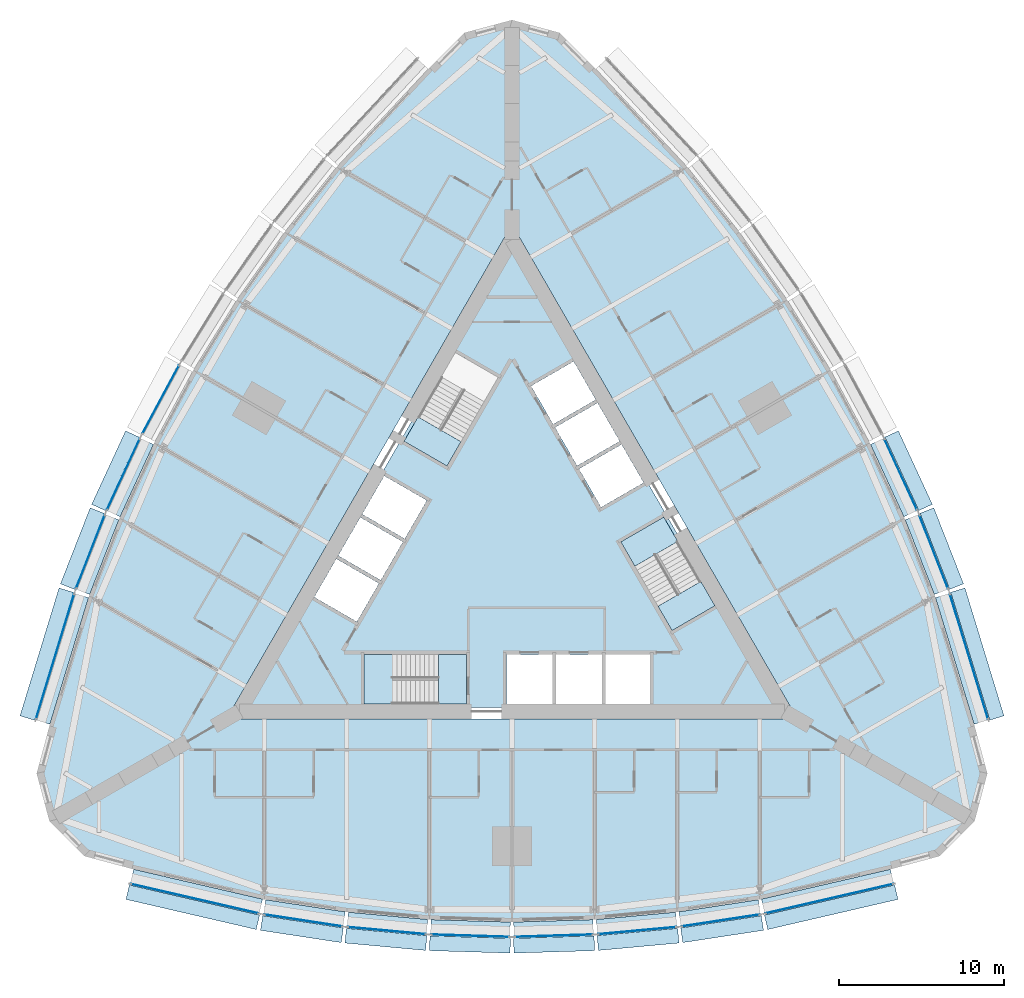
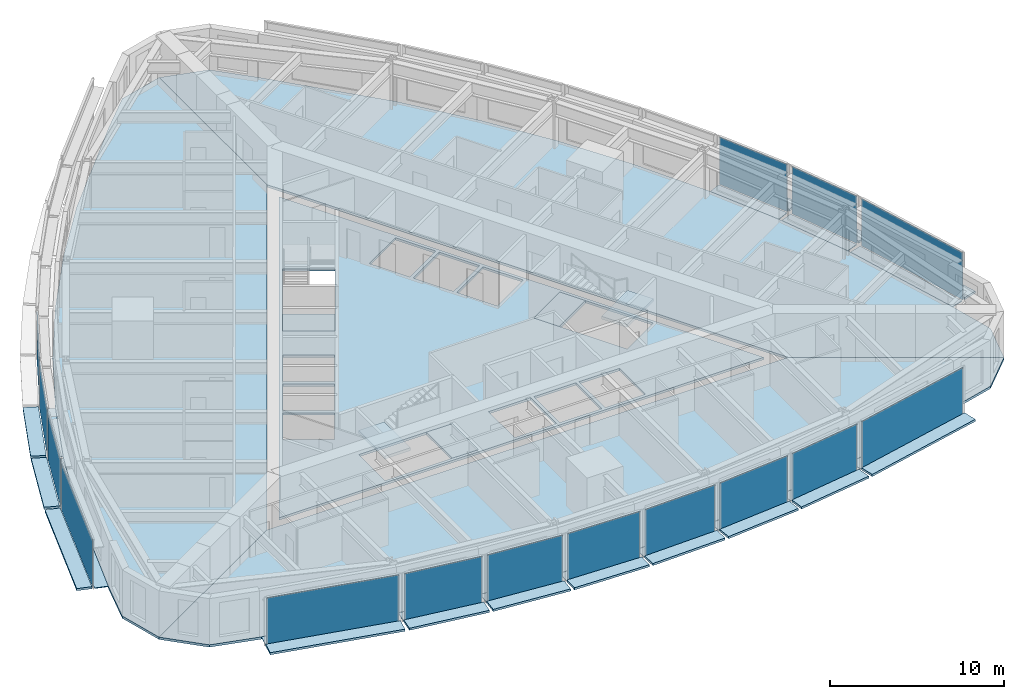
# One storey, part 6 of 14: 43 plates, 9 slabs, 18 elements without a shape of their own.
"""IFC4 building model written with IfcOpenShell, lengths in metres."""

from ifc_helpers import new_model, si_unit, direction, frame, origin, origin_2d, place, context, subcontext, project, spatial, polyline, rectangle, outline, extrude, material, layer, layer_set, type_object, element, aggregate, save


model = new_model("IFC4")

# Units and contexts
model_context = context("Model", 3, precision=1e-05, world=origin(), true_north=direction((0.0, 1.0)))
body_context = subcontext(model_context, "Body", "Model", "MODEL_VIEW")
ifc_project = project(units=[si_unit("LENGTHUNIT", "METRE"), si_unit("AREAUNIT", "SQUARE_METRE"), si_unit("VOLUMEUNIT", "CUBIC_METRE"), si_unit("PLANEANGLEUNIT", "RADIAN"), si_unit("MASSUNIT", "GRAM", prefix="KILO")], contexts=[model_context])

# Site, building, storey
site_placement = place(None, origin())
site = spatial("IfcSite", under=ifc_project, at=site_placement, CompositionType="ELEMENT")
building_placement = place(site_placement, origin())
building = spatial("IfcBuilding", under=site, at=building_placement, Name="Trikona Tower", CompositionType="ELEMENT")
storey_placement = place(building_placement, frame((0.0, 0.0, 79.5)))
storey = spatial("IfcBuildingStorey", under=building, at=storey_placement, Name="L20", CompositionType="ELEMENT", Elevation=79.5)

# Plates
ifc_material_1 = material(Name="Aluminium bar grating", Category="aluminium")
ifc_layer_1 = layer(ifc_material_1, 0.050048828125)
ifc_layer_set_1 = layer_set([ifc_layer_1], Name="Cavity catwalk grating")
plate_type_1 = type_object("IfcPlateType", Name="Cavity catwalk grating", PredefinedType="USERDEFINED", material=ifc_layer_set_1)
plate_1_placement = place(storey_placement, frame((-19.09228515625, -20.377197265625, -0.0498046875), z_axis=(0.0, 0.0, 1.0), x_axis=(0.974277718622, -0.225350675607, 0.0)))
element("IfcPlate", 1, at=plate_1_placement, inside=storey, type_object=plate_type_1, Name="Cavity catwalk L20-00", ObjectType="CATWALK GRATING", PredefinedType="USERDEFINED", context=body_context, shape_type="SweptSolid", body=[
    extrude(rectangle(XDim=8.01123046875, YDim=0.820068359375, at=origin_2d()), origin(), (0.0, 0.0, 1.0), 0.050048828125),
])
plate_2_placement = place(storey_placement, frame((-12.561767578125, -21.688720703125, -0.0498046875), z_axis=(0.0, 0.0, 1.0), x_axis=(0.988617896768, -0.150448177754, 0.0)))
element("IfcPlate", 2, at=plate_2_placement, inside=storey, type_object=plate_type_1, Name="Cavity catwalk L20-01", ObjectType="CATWALK GRATING", PredefinedType="USERDEFINED", context=body_context, shape_type="SweptSolid", body=[
    extrude(rectangle(XDim=4.857666015625, YDim=0.820068359375, at=origin_2d()), origin(), (0.0, 0.0, 1.0), 0.050048828125),
])
plate_3_placement = place(storey_placement, frame((-7.537353515625, -22.300537109375, -0.0498046875), z_axis=(0.0, 0.0, 1.0), x_axis=(0.995858098326, -0.090921108655, 0.0)))
element("IfcPlate", 3, at=plate_3_placement, inside=storey, type_object=plate_type_1, Name="Cavity catwalk L20-02", ObjectType="CATWALK GRATING", PredefinedType="USERDEFINED", context=body_context, shape_type="SweptSolid", body=[
    extrude(rectangle(XDim=4.82080078125, YDim=0.820068359375, at=origin_2d()), origin(), (0.0, 0.0, 1.0), 0.050048828125),
])
for number, where, z_axis, x_axis, name in (
    (4, (-2.512451171875, -22.606201171875, -0.0498046875), (0.0, 0.0, 1.0), (0.999537048889, -0.030425119525, 0.0), "Cavity catwalk L20-03"),
    (5, (2.512451171875, -22.606201171875, -0.0498046875), (0.0, 0.0, 1.0), (0.999537048889, 0.030425119525, 0.0), "Cavity catwalk L20-04"),
):
    element("IfcPlate", number, at=place(storey_placement, frame(where, z_axis=z_axis, x_axis=x_axis)), inside=storey, type_object=plate_type_1, Name=name, ObjectType="CATWALK GRATING", PredefinedType="USERDEFINED", context=body_context, shape_type="SweptSolid", body=[
        extrude(rectangle(XDim=4.80224609375, YDim=0.820068359375, at=origin_2d()), origin(), (0.0, 0.0, 1.0), 0.050048828125),
    ])
plate_4_placement = place(storey_placement, frame((7.537353515625, -22.300537109375, -0.0498046875), z_axis=(0.0, 0.0, 1.0), x_axis=(0.995858098326, 0.090921108655, 0.0)))
element("IfcPlate", 6, at=plate_4_placement, inside=storey, type_object=plate_type_1, Name="Cavity catwalk L20-05", ObjectType="CATWALK GRATING", PredefinedType="USERDEFINED", context=body_context, shape_type="SweptSolid", body=[
    extrude(rectangle(XDim=4.82080078125, YDim=0.820068359375, at=origin_2d()), origin(), (0.0, 0.0, 1.0), 0.050048828125),
])
plate_5_placement = place(storey_placement, frame((12.561767578125, -21.688720703125, -0.0498046875), z_axis=(0.0, 0.0, 1.0), x_axis=(0.988617896768, 0.150448177754, 0.0)))
element("IfcPlate", 7, at=plate_5_placement, inside=storey, type_object=plate_type_1, Name="Cavity catwalk L20-06", ObjectType="CATWALK GRATING", PredefinedType="USERDEFINED", context=body_context, shape_type="SweptSolid", body=[
    extrude(rectangle(XDim=4.857666015625, YDim=0.820068359375, at=origin_2d()), origin(), (0.0, 0.0, 1.0), 0.050048828125),
])
for number, where, z_axis, x_axis, name in (
    (8, (19.09228515625, -20.377197265625, -0.0498046875), (0.0, 0.0, 1.0), (0.974277718622, 0.225350675607, 0.0), "Cavity catwalk L20-07"),
    (9, (27.193359375, -6.345947265625, -0.0498046875), (0.0, 0.0, 1.0), (-0.291979449475, 0.956424592471, 0.0), "Cavity catwalk L20-12"),
):
    element("IfcPlate", number, at=place(storey_placement, frame(where, z_axis=z_axis, x_axis=x_axis)), inside=storey, type_object=plate_type_1, Name=name, ObjectType="CATWALK GRATING", PredefinedType="USERDEFINED", context=body_context, shape_type="SweptSolid", body=[
        extrude(rectangle(XDim=8.01123046875, YDim=0.820068359375, at=origin_2d()), origin(), (0.0, 0.0, 1.0), 0.050048828125),
    ])
plate_6_placement = place(storey_placement, frame((25.06396484375, -0.034423828125, -0.0498046875), z_axis=(0.0, 0.0, 1.0), x_axis=(-0.364008876551, 0.931395478726, 0.0)))
element("IfcPlate", 10, at=plate_6_placement, inside=storey, type_object=plate_type_1, Name="Cavity catwalk L20-13", ObjectType="CATWALK GRATING", PredefinedType="USERDEFINED", context=body_context, shape_type="SweptSolid", body=[
    extrude(rectangle(XDim=4.857666015625, YDim=0.820068359375, at=origin_2d()), origin(), (0.0, 0.0, 1.0), 0.050048828125),
])
for number, where, z_axis, x_axis, name in (
    (11, (23.081298828125, 4.622802734375, -0.0498046875), (0.0, 0.0, 1.0), (-0.41919381307, 0.907896771161, 0.0), "Cavity catwalk L20-14"),
    (12, (-23.081298828125, 4.622802734375, -0.0498046875), (0.0, 0.0, 1.0), (-0.41919381307, -0.907896771161, 0.0), "Cavity catwalk L20-29"),
):
    element("IfcPlate", number, at=place(storey_placement, frame(where, z_axis=z_axis, x_axis=x_axis)), inside=storey, type_object=plate_type_1, Name=name, ObjectType="CATWALK GRATING", PredefinedType="USERDEFINED", context=body_context, shape_type="SweptSolid", body=[
        extrude(rectangle(XDim=4.82080078125, YDim=0.820068359375, at=origin_2d()), origin(), (0.0, 0.0, 1.0), 0.050048828125),
    ])
plate_7_placement = place(storey_placement, frame((-25.06396484375, -0.034423828125, -0.0498046875), z_axis=(0.0, 0.0, 1.0), x_axis=(-0.364008876551, -0.931395478726, 0.0)))
element("IfcPlate", 13, at=plate_7_placement, inside=storey, type_object=plate_type_1, Name="Cavity catwalk L20-30", ObjectType="CATWALK GRATING", PredefinedType="USERDEFINED", context=body_context, shape_type="SweptSolid", body=[
    extrude(rectangle(XDim=4.857666015625, YDim=0.820068359375, at=origin_2d()), origin(), (0.0, 0.0, 1.0), 0.050048828125),
])
plate_8_placement = place(storey_placement, frame((-27.193359375, -6.345947265625, -0.0498046875), z_axis=(0.0, 0.0, 1.0), x_axis=(-0.291979449475, -0.956424592471, 0.0)))
element("IfcPlate", 14, at=plate_8_placement, inside=storey, type_object=plate_type_1, Name="Cavity catwalk L20-31", ObjectType="CATWALK GRATING", PredefinedType="USERDEFINED", context=body_context, shape_type="SweptSolid", body=[
    extrude(rectangle(XDim=8.01123046875, YDim=0.820068359375, at=origin_2d()), origin(), (0.0, 0.0, 1.0), 0.050048828125),
])

# Slabs
ifc_material_2 = material(Name="Concrete f'c 5000 psi lightweight on composite steel deck", Category="concrete")
ifc_layer_2 = layer(ifc_material_2, 0.1650390625)
ifc_layer_set_2 = layer_set([ifc_layer_2], Name="Composite floor slab 165")
slab_type_1 = type_object("IfcSlabType", Name="Composite floor slab 165", PredefinedType="FLOOR", material=ifc_layer_set_2)
slab_1_placement = place(storey_placement, frame((0.0, 0.0, -0.1650390625)))
element("IfcSlab", 15, at=slab_1_placement, inside=storey, type_object=slab_type_1, Name="Floor slab L20 core", PredefinedType="FLOOR", context=body_context, shape_type="SweptSolid", body=[
    extrude(outline(polyline([(-16.06689453125, -9.2763671875), (16.06689453125, -9.2763671875), (0.0, 18.552490234375), (-16.06689453125, -9.2763671875)]), holes=[polyline([(12.285400390625, -3.126220703125), (9.185302734375, 2.2431640625), (6.587158203125, 0.7431640625), (9.687255859375, -4.626220703125), (12.285400390625, -3.126220703125)]), polyline([(8.340087890625, -9.06640625), (8.340087890625, -6.086181640625), (5.659912109375, -6.086181640625), (5.659912109375, -9.06640625), (8.340087890625, -9.06640625)]), polyline([(5.390869140625, 2.835205078125), (7.9716796875, 4.3251953125), (6.631591796875, 6.646240234375), (4.05078125, 5.15625), (5.390869140625, 2.835205078125)]), polyline([(2.600830078125, 7.667724609375), (3.94091796875, 5.3466796875), (6.521484375, 6.8369140625), (5.181640625, 9.15771484375), (2.600830078125, 7.667724609375)]), polyline([(5.43994140625, -6.086181640625), (2.659912109375, -6.086181640625), (2.659912109375, -9.06640625), (5.43994140625, -9.06640625), (5.43994140625, -6.086181640625)]), polyline([(3.731689453125, 11.669189453125), (1.15087890625, 10.17919921875), (2.490966796875, 7.858154296875), (5.071533203125, 9.34814453125), (3.731689453125, 11.669189453125)]), polyline([(-0.340087890625, -6.086181640625), (-0.340087890625, -9.06640625), (2.43994140625, -9.06640625), (2.43994140625, -6.086181640625), (-0.340087890625, -6.086181640625)]), polyline([(-3.435302734375, 12.202392578125), (-6.535400390625, 6.8330078125), (-3.937255859375, 5.3330078125), (-0.837158203125, 10.702392578125), (-3.435302734375, 12.202392578125)]), polyline([(-8.949951171875, -9.076416015625), (-2.75, -9.076416015625), (-2.75, -6.076416015625), (-8.949951171875, -6.076416015625), (-8.949951171875, -9.076416015625)]), polyline([(-5.15087890625, 3.2509765625), (-7.731689453125, 4.740966796875), (-9.071533203125, 2.419921875), (-6.490966796875, 0.929931640625), (-5.15087890625, 3.2509765625)]), polyline([(-7.94091796875, -1.581298828125), (-6.600830078125, 0.739501953125), (-9.181640625, 2.2294921875), (-10.521484375, -0.09130859375), (-7.94091796875, -1.581298828125)]), polyline([(-11.9716796875, -2.602783203125), (-9.390869140625, -4.093017578125), (-8.05078125, -1.77197265625), (-10.631591796875, -0.281982421875), (-11.9716796875, -2.602783203125)])]), origin(), (0.0, 0.0, 1.0), 0.1650390625),
])
slab_2_placement = place(storey_placement, frame((0.0, 0.0, -0.1650390625)))
element("IfcSlab", 16, at=slab_2_placement, inside=storey, type_object=slab_type_1, Name="Floor slab L20 south", PredefinedType="FLOOR", context=body_context, shape_type="SweptSolid", body=[
    extrude(outline(polyline([(25.88671875, -18.279052734375), (28.0, -16.165771484375), (17.279296875, -9.976318359375), (-17.279296875, -9.976318359375), (-28.0, -16.165771484375), (-25.88671875, -18.279052734375), (-23.0, -19.052490234375), (-15.0, -20.903076171875), (-10.0, -21.663818359375), (-5.0, -22.120361328125), (0.0, -22.272705078125), (5.0, -22.120361328125), (10.0, -21.663818359375), (15.0, -20.903076171875), (23.0, -19.052490234375), (25.88671875, -18.279052734375)])), origin(), (0.0, 0.0, 1.0), 0.1650390625),
])
slab_3_placement = place(storey_placement, frame((0.0, 0.0, -0.1650390625)))
element("IfcSlab", 17, at=slab_3_placement, inside=storey, type_object=slab_type_1, Name="Floor slab L20 north-east", PredefinedType="FLOOR", context=body_context, shape_type="SweptSolid", body=[
    extrude(outline(polyline([(2.88671875, 31.55810546875), (0.0, 32.33154296875), (0.0, 19.95263671875), (17.279296875, -9.976318359375), (28.0, -16.165771484375), (28.7734375, -13.279052734375), (28.0, -10.392333984375), (25.6025390625, -2.538818359375), (23.761474609375, 2.171630859375), (21.65673828125, 6.72998046875), (19.28857421875, 11.13623046875), (16.65673828125, 15.390380859375), (13.761474609375, 19.4921875), (10.6025390625, 23.44189453125), (5.0, 29.44482421875), (2.88671875, 31.55810546875)])), origin(), (0.0, 0.0, 1.0), 0.1650390625),
])
slab_4_placement = place(storey_placement, frame((0.0, 0.0, -0.1650390625)))
element("IfcSlab", 18, at=slab_4_placement, inside=storey, type_object=slab_type_1, Name="Floor slab L20 north-west", PredefinedType="FLOOR", context=body_context, shape_type="SweptSolid", body=[
    extrude(outline(polyline([(0.0, 19.95263671875), (0.0, 32.33154296875), (-2.88671875, 31.55810546875), (-5.0, 29.44482421875), (-10.6025390625, 23.44189453125), (-13.761474609375, 19.4921875), (-16.65673828125, 15.390380859375), (-19.28857421875, 11.13623046875), (-21.65673828125, 6.72998046875), (-23.761474609375, 2.171630859375), (-25.6025390625, -2.538818359375), (-28.0, -10.392333984375), (-28.7734375, -13.279052734375), (-28.0, -16.165771484375), (-17.279296875, -9.976318359375), (0.0, 19.95263671875)])), origin(), (0.0, 0.0, 1.0), 0.1650390625),
])

# Curtain wall, plate
ifc_material_3 = material(Name="Aluminium curtain wall system", Category="aluminium")
curtain_wall_type = type_object("IfcCurtainWallType", Name="Curtain wall DS1", PredefinedType="NOTDEFINED", material=ifc_material_3)
curtain_wall_1_placement = place(storey_placement, origin())
curtain_wall_1 = element("IfcCurtainWall", 19, at=curtain_wall_1_placement, inside=storey, type_object=curtain_wall_type, Name="Curtain wall DS1 L20", PredefinedType="NOTDEFINED")
ifc_material_4 = material(Name="Laminated clear glass", Category="glass")
ifc_layer_3 = layer(ifc_material_4, 0.028076171875)
ifc_layer_set_3 = layer_set([ifc_layer_3], Name="Glass panel DS1")
plate_type_2 = type_object("IfcPlateType", Name="Glass panel DS1", PredefinedType="CURTAIN_PANEL", material=ifc_layer_set_3)
plate_9_placement = place(storey_placement, frame((-19.202880859375, -20.854736328125, 0.0), z_axis=(0.0, 0.0, 1.0), x_axis=(0.974279427173, -0.225343288756, 0.0)))
plate_9 = element("IfcPlate", 20, at=plate_9_placement, type_object=plate_type_2, Name="CW-DS1 panel 1.1", PredefinedType="CURTAIN_PANEL", context=body_context, shape_type="SweptSolid", body=[
    extrude(rectangle(XDim=7.93115234375, YDim=0.028076171875, at=origin_2d()), origin(), (0.0, 0.0, 1.0), 3.320068359375),
])
aggregate(curtain_wall_1, [plate_9])

curtain_wall_2_placement = place(storey_placement, origin())
curtain_wall_2 = element("IfcCurtainWall", 21, at=curtain_wall_2_placement, inside=storey, type_object=curtain_wall_type, Name="Curtain wall DS1 L20", PredefinedType="NOTDEFINED")
plate_10_placement = place(storey_placement, frame((-12.635498046875, -22.173095703125, 0.0), z_axis=(0.0, 0.0, 1.0), x_axis=(0.988619492156, -0.150437693845, 0.0)))
plate_10 = element("IfcPlate", 22, at=plate_10_placement, type_object=plate_type_2, Name="CW-DS1 panel 1.1", PredefinedType="CURTAIN_PANEL", context=body_context, shape_type="SweptSolid", body=[
    extrude(rectangle(XDim=4.777587890625, YDim=0.028076171875, at=origin_2d()), origin(), (0.0, 0.0, 1.0), 3.320068359375),
])
aggregate(curtain_wall_2, [plate_10])

curtain_wall_3_placement = place(storey_placement, origin())
curtain_wall_3 = element("IfcCurtainWall", 23, at=curtain_wall_3_placement, inside=storey, type_object=curtain_wall_type, Name="Curtain wall DS1 L20", PredefinedType="NOTDEFINED")
plate_11_placement = place(storey_placement, frame((-7.581787109375, -22.788330078125, 0.0), z_axis=(0.0, 0.0, 1.0), x_axis=(0.995857840485, -0.090923932737, 0.0)))
plate_11 = element("IfcPlate", 24, at=plate_11_placement, type_object=plate_type_2, Name="CW-DS1 panel 1.1", PredefinedType="CURTAIN_PANEL", context=body_context, shape_type="SweptSolid", body=[
    extrude(rectangle(XDim=4.74072265625, YDim=0.028076171875, at=origin_2d()), origin(), (0.0, 0.0, 1.0), 3.320068359375),
])
aggregate(curtain_wall_3, [plate_11])

curtain_wall_4_placement = place(storey_placement, origin())
curtain_wall_4 = element("IfcCurtainWall", 25, at=curtain_wall_4_placement, inside=storey, type_object=curtain_wall_type, Name="Curtain wall DS1 L20", PredefinedType="NOTDEFINED")
plate_12_placement = place(storey_placement, frame((-2.52734375, -23.09619140625, 0.0), z_axis=(0.0, 0.0, 1.0), x_axis=(0.999536695965, -0.030436711692, 0.0)))
plate_12 = element("IfcPlate", 26, at=plate_12_placement, type_object=plate_type_2, Name="CW-DS1 panel 1.1", PredefinedType="CURTAIN_PANEL", context=body_context, shape_type="SweptSolid", body=[
    extrude(rectangle(XDim=4.72216796875, YDim=0.028076171875, at=origin_2d()), origin(), (0.0, 0.0, 1.0), 3.320068359375),
])
aggregate(curtain_wall_4, [plate_12])

curtain_wall_5_placement = place(storey_placement, origin())
curtain_wall_5 = element("IfcCurtainWall", 27, at=curtain_wall_5_placement, inside=storey, type_object=curtain_wall_type, Name="Curtain wall DS1 L20", PredefinedType="NOTDEFINED")
plate_13_placement = place(storey_placement, frame((2.52734375, -23.09619140625, 0.0), z_axis=(0.0, 0.0, 1.0), x_axis=(0.999536695965, 0.030436711692, 0.0)))
plate_13 = element("IfcPlate", 28, at=plate_13_placement, type_object=plate_type_2, Name="CW-DS1 panel 1.1", PredefinedType="CURTAIN_PANEL", context=body_context, shape_type="SweptSolid", body=[
    extrude(rectangle(XDim=4.72216796875, YDim=0.028076171875, at=origin_2d()), origin(), (0.0, 0.0, 1.0), 3.320068359375),
])
aggregate(curtain_wall_5, [plate_13])

curtain_wall_6_placement = place(storey_placement, origin())
curtain_wall_6 = element("IfcCurtainWall", 29, at=curtain_wall_6_placement, inside=storey, type_object=curtain_wall_type, Name="Curtain wall DS1 L20", PredefinedType="NOTDEFINED")
plate_14_placement = place(storey_placement, frame((7.581787109375, -22.788330078125, 0.0), z_axis=(0.0, 0.0, 1.0), x_axis=(0.995857840485, 0.090923932737, 0.0)))
plate_14 = element("IfcPlate", 30, at=plate_14_placement, type_object=plate_type_2, Name="CW-DS1 panel 1.1", PredefinedType="CURTAIN_PANEL", context=body_context, shape_type="SweptSolid", body=[
    extrude(rectangle(XDim=4.74072265625, YDim=0.028076171875, at=origin_2d()), origin(), (0.0, 0.0, 1.0), 3.320068359375),
])
aggregate(curtain_wall_6, [plate_14])

curtain_wall_7_placement = place(storey_placement, origin())
curtain_wall_7 = element("IfcCurtainWall", 31, at=curtain_wall_7_placement, inside=storey, type_object=curtain_wall_type, Name="Curtain wall DS1 L20", PredefinedType="NOTDEFINED")
plate_15_placement = place(storey_placement, frame((12.635498046875, -22.173095703125, 0.0), z_axis=(0.0, 0.0, 1.0), x_axis=(0.988619492156, 0.150437693845, 0.0)))
plate_15 = element("IfcPlate", 32, at=plate_15_placement, type_object=plate_type_2, Name="CW-DS1 panel 1.1", PredefinedType="CURTAIN_PANEL", context=body_context, shape_type="SweptSolid", body=[
    extrude(rectangle(XDim=4.777587890625, YDim=0.028076171875, at=origin_2d()), origin(), (0.0, 0.0, 1.0), 3.320068359375),
])
aggregate(curtain_wall_7, [plate_15])

curtain_wall_8_placement = place(storey_placement, origin())
curtain_wall_8 = element("IfcCurtainWall", 33, at=curtain_wall_8_placement, inside=storey, type_object=curtain_wall_type, Name="Curtain wall DS1 L20", PredefinedType="NOTDEFINED")
plate_16_placement = place(storey_placement, frame((19.202880859375, -20.854736328125, 0.0), z_axis=(0.0, 0.0, 1.0), x_axis=(0.974279427173, 0.225343288756, 0.0)))
plate_16 = element("IfcPlate", 34, at=plate_16_placement, type_object=plate_type_2, Name="CW-DS1 panel 1.1", PredefinedType="CURTAIN_PANEL", context=body_context, shape_type="SweptSolid", body=[
    extrude(rectangle(XDim=7.93115234375, YDim=0.028076171875, at=origin_2d()), origin(), (0.0, 0.0, 1.0), 3.320068359375),
])
aggregate(curtain_wall_8, [plate_16])

curtain_wall_9_placement = place(storey_placement, origin())
curtain_wall_9 = element("IfcCurtainWall", 35, at=curtain_wall_9_placement, inside=storey, type_object=curtain_wall_type, Name="Curtain wall DS1 L20", PredefinedType="NOTDEFINED")
plate_17_placement = place(storey_placement, frame((27.662109375, -6.202880859375, 0.0), z_axis=(0.0, 0.0, 1.0), x_axis=(-0.291984287868, 0.956423115383, 0.0)))
plate_17 = element("IfcPlate", 36, at=plate_17_placement, type_object=plate_type_2, Name="CW-DS1 panel 1.1", PredefinedType="CURTAIN_PANEL", context=body_context, shape_type="SweptSolid", body=[
    extrude(rectangle(XDim=7.93115234375, YDim=0.028076171875, at=origin_2d()), origin(), (0.0, 0.0, 1.0), 3.320068359375),
])
aggregate(curtain_wall_9, [plate_17])

curtain_wall_10_placement = place(storey_placement, origin())
curtain_wall_10 = element("IfcCurtainWall", 37, at=curtain_wall_10_placement, inside=storey, type_object=curtain_wall_type, Name="Curtain wall DS1 L20", PredefinedType="NOTDEFINED")
plate_18_placement = place(storey_placement, frame((25.520263671875, 0.14404296875, 0.0), z_axis=(0.0, 0.0, 1.0), x_axis=(-0.36400756977, 0.931395989443, 0.0)))
plate_18 = element("IfcPlate", 38, at=plate_18_placement, type_object=plate_type_2, Name="CW-DS1 panel 1.1", PredefinedType="CURTAIN_PANEL", context=body_context, shape_type="SweptSolid", body=[
    extrude(rectangle(XDim=4.777587890625, YDim=0.028076171875, at=origin_2d()), origin(), (0.0, 0.0, 1.0), 3.320068359375),
])
aggregate(curtain_wall_10, [plate_18])

curtain_wall_11_placement = place(storey_placement, origin())
curtain_wall_11 = element("IfcCurtainWall", 39, at=curtain_wall_11_placement, inside=storey, type_object=curtain_wall_type, Name="Curtain wall DS1 L20", PredefinedType="NOTDEFINED")
plate_19_placement = place(storey_placement, frame((23.5263671875, 4.828125, 0.0), z_axis=(0.0, 0.0, 1.0), x_axis=(-0.419190155352, 0.907898459992, 0.0)))
plate_19 = element("IfcPlate", 40, at=plate_19_placement, type_object=plate_type_2, Name="CW-DS1 panel 1.1", PredefinedType="CURTAIN_PANEL", context=body_context, shape_type="SweptSolid", body=[
    extrude(rectangle(XDim=4.740966796875, YDim=0.028076171875, at=origin_2d()), origin(), (0.0, 0.0, 1.0), 3.320068359375),
])
aggregate(curtain_wall_11, [plate_19])

curtain_wall_12_placement = place(storey_placement, origin())
curtain_wall_12 = element("IfcCurtainWall", 41, at=curtain_wall_12_placement, inside=storey, type_object=curtain_wall_type, Name="Curtain wall DS1 L20", PredefinedType="NOTDEFINED")
plate_20_placement = place(storey_placement, frame((-21.265380859375, 9.359130859375, 0.0), z_axis=(0.0, 0.0, 1.0), x_axis=(-0.473408350896, -0.880843080975, 0.0)))
plate_20 = element("IfcPlate", 42, at=plate_20_placement, type_object=plate_type_2, Name="CW-DS1 panel 1.1", PredefinedType="CURTAIN_PANEL", context=body_context, shape_type="SweptSolid", body=[
    extrude(rectangle(XDim=4.72216796875, YDim=0.028076171875, at=origin_2d()), origin(), (0.0, 0.0, 1.0), 3.320068359375),
])
aggregate(curtain_wall_12, [plate_20])

curtain_wall_13_placement = place(storey_placement, origin())
curtain_wall_13 = element("IfcCurtainWall", 43, at=curtain_wall_13_placement, inside=storey, type_object=curtain_wall_type, Name="Curtain wall DS1 L20", PredefinedType="NOTDEFINED")
plate_21_placement = place(storey_placement, frame((-23.5263671875, 4.828125, 0.0), z_axis=(0.0, 0.0, 1.0), x_axis=(-0.419190155352, -0.907898459992, 0.0)))
plate_21 = element("IfcPlate", 44, at=plate_21_placement, type_object=plate_type_2, Name="CW-DS1 panel 1.1", PredefinedType="CURTAIN_PANEL", context=body_context, shape_type="SweptSolid", body=[
    extrude(rectangle(XDim=4.740966796875, YDim=0.028076171875, at=origin_2d()), origin(), (0.0, 0.0, 1.0), 3.320068359375),
])
aggregate(curtain_wall_13, [plate_21])

curtain_wall_14_placement = place(storey_placement, origin())
curtain_wall_14 = element("IfcCurtainWall", 45, at=curtain_wall_14_placement, inside=storey, type_object=curtain_wall_type, Name="Curtain wall DS1 L20", PredefinedType="NOTDEFINED")
plate_22_placement = place(storey_placement, frame((-25.520263671875, 0.14404296875, 0.0), z_axis=(0.0, 0.0, 1.0), x_axis=(-0.36400756977, -0.931395989443, 0.0)))
plate_22 = element("IfcPlate", 46, at=plate_22_placement, type_object=plate_type_2, Name="CW-DS1 panel 1.1", PredefinedType="CURTAIN_PANEL", context=body_context, shape_type="SweptSolid", body=[
    extrude(rectangle(XDim=4.777587890625, YDim=0.028076171875, at=origin_2d()), origin(), (0.0, 0.0, 1.0), 3.320068359375),
])
aggregate(curtain_wall_14, [plate_22])

curtain_wall_15_placement = place(storey_placement, origin())
curtain_wall_15 = element("IfcCurtainWall", 47, at=curtain_wall_15_placement, inside=storey, type_object=curtain_wall_type, Name="Curtain wall DS1 L20", PredefinedType="NOTDEFINED")
plate_23_placement = place(storey_placement, frame((-27.662109375, -6.202880859375, 0.0), z_axis=(0.0, 0.0, 1.0), x_axis=(-0.291984287868, -0.956423115383, 0.0)))
plate_23 = element("IfcPlate", 48, at=plate_23_placement, type_object=plate_type_2, Name="CW-DS1 panel 1.1", PredefinedType="CURTAIN_PANEL", context=body_context, shape_type="SweptSolid", body=[
    extrude(rectangle(XDim=7.93115234375, YDim=0.028076171875, at=origin_2d()), origin(), (0.0, 0.0, 1.0), 3.320068359375),
])
aggregate(curtain_wall_15, [plate_23])

# Plates
ifc_material_5 = material(Name="Aluminium plate fin, pale anodised, on stainless steel outriggers", Category="steel")
ifc_layer_4 = layer(ifc_material_5, 0.14990234375)
ifc_layer_set_4 = layer_set([ifc_layer_4], Name="Outer skin fin 900")
plate_type_3 = type_object("IfcPlateType", Name="Outer skin fin 900", PredefinedType="USERDEFINED", material=ifc_layer_set_4)
plate_24_placement = place(storey_placement, frame((-19.322265625, -21.37109375, 0.0), z_axis=(0.0, 0.0, 1.0), x_axis=(0.974277718622, -0.225350675607, 0.0)))
element("IfcPlate", 49, at=plate_24_placement, inside=storey, type_object=plate_type_3, Name="Outer skin fin L20-00", ObjectType="FIN", PredefinedType="USERDEFINED", context=body_context, shape_type="SweptSolid", body=[
    extrude(rectangle(XDim=8.09130859375, YDim=0.89990234375, at=origin_2d()), origin(), (0.0, 0.0, 1.0), 0.14990234375),
])
plate_25_placement = place(storey_placement, frame((-12.715087890625, -22.697265625, 0.0), z_axis=(0.0, 0.0, 1.0), x_axis=(0.988617896768, -0.150448177754, 0.0)))
element("IfcPlate", 50, at=plate_25_placement, inside=storey, type_object=plate_type_3, Name="Outer skin fin L20-01", ObjectType="FIN", PredefinedType="USERDEFINED", context=body_context, shape_type="SweptSolid", body=[
    extrude(rectangle(XDim=4.9375, YDim=0.89990234375, at=origin_2d()), origin(), (0.0, 0.0, 1.0), 0.14990234375),
])
plate_26_placement = place(storey_placement, frame((-7.6298828125, -23.316162109375, 0.0), z_axis=(0.0, 0.0, 1.0), x_axis=(0.995858098326, -0.090921108655, 0.0)))
element("IfcPlate", 51, at=plate_26_placement, inside=storey, type_object=plate_type_3, Name="Outer skin fin L20-02", ObjectType="FIN", PredefinedType="USERDEFINED", context=body_context, shape_type="SweptSolid", body=[
    extrude(rectangle(XDim=4.90087890625, YDim=0.89990234375, at=origin_2d()), origin(), (0.0, 0.0, 1.0), 0.14990234375),
])
for number, where, z_axis, x_axis, name in (
    (52, (-2.54345703125, -23.625732421875, 0.0), (0.0, 0.0, 1.0), (0.999537048889, -0.030425119525, 0.0), "Outer skin fin L20-03"),
    (53, (2.54345703125, -23.625732421875, 0.0), (0.0, 0.0, 1.0), (0.999537048889, 0.030425119525, 0.0), "Outer skin fin L20-04"),
):
    element("IfcPlate", number, at=place(storey_placement, frame(where, z_axis=z_axis, x_axis=x_axis)), inside=storey, type_object=plate_type_3, Name=name, ObjectType="FIN", PredefinedType="USERDEFINED", context=body_context, shape_type="SweptSolid", body=[
        extrude(rectangle(XDim=4.88232421875, YDim=0.89990234375, at=origin_2d()), origin(), (0.0, 0.0, 1.0), 0.14990234375),
    ])
plate_27_placement = place(storey_placement, frame((7.6298828125, -23.316162109375, 0.0), z_axis=(0.0, 0.0, 1.0), x_axis=(0.995858098326, 0.090921108655, 0.0)))
element("IfcPlate", 54, at=plate_27_placement, inside=storey, type_object=plate_type_3, Name="Outer skin fin L20-05", ObjectType="FIN", PredefinedType="USERDEFINED", context=body_context, shape_type="SweptSolid", body=[
    extrude(rectangle(XDim=4.90087890625, YDim=0.89990234375, at=origin_2d()), origin(), (0.0, 0.0, 1.0), 0.14990234375),
])
plate_28_placement = place(storey_placement, frame((12.715087890625, -22.697265625, 0.0), z_axis=(0.0, 0.0, 1.0), x_axis=(0.988617896768, 0.150448177754, 0.0)))
element("IfcPlate", 55, at=plate_28_placement, inside=storey, type_object=plate_type_3, Name="Outer skin fin L20-06", ObjectType="FIN", PredefinedType="USERDEFINED", context=body_context, shape_type="SweptSolid", body=[
    extrude(rectangle(XDim=4.9375, YDim=0.89990234375, at=origin_2d()), origin(), (0.0, 0.0, 1.0), 0.14990234375),
])
for number, where, z_axis, x_axis, name in (
    (56, (19.322265625, -21.37109375, 0.0), (0.0, 0.0, 1.0), (0.974277718622, 0.225350675607, 0.0), "Outer skin fin L20-07"),
    (57, (28.1689453125, -6.048095703125, 0.0), (0.0, 0.0, 1.0), (-0.291979449475, 0.956424592471, 0.0), "Outer skin fin L20-12"),
):
    element("IfcPlate", number, at=place(storey_placement, frame(where, z_axis=z_axis, x_axis=x_axis)), inside=storey, type_object=plate_type_3, Name=name, ObjectType="FIN", PredefinedType="USERDEFINED", context=body_context, shape_type="SweptSolid", body=[
        extrude(rectangle(XDim=8.09130859375, YDim=0.89990234375, at=origin_2d()), origin(), (0.0, 0.0, 1.0), 0.14990234375),
    ])
plate_29_placement = place(storey_placement, frame((26.013916015625, 0.3369140625, 0.0), z_axis=(0.0, 0.0, 1.0), x_axis=(-0.364008876551, 0.931395478726, 0.0)))
element("IfcPlate", 58, at=plate_29_placement, inside=storey, type_object=plate_type_3, Name="Outer skin fin L20-13", ObjectType="FIN", PredefinedType="USERDEFINED", context=body_context, shape_type="SweptSolid", body=[
    extrude(rectangle(XDim=4.9375, YDim=0.89990234375, at=origin_2d()), origin(), (0.0, 0.0, 1.0), 0.14990234375),
])
for number, where, z_axis, x_axis, name in (
    (59, (24.00732421875, 5.05029296875, 0.0), (0.0, 0.0, 1.0), (-0.41919381307, 0.907896771161, 0.0), "Outer skin fin L20-14"),
    (60, (-24.00732421875, 5.05029296875, 0.0), (0.0, 0.0, 1.0), (-0.41919381307, -0.907896771161, 0.0), "Outer skin fin L20-29"),
):
    element("IfcPlate", number, at=place(storey_placement, frame(where, z_axis=z_axis, x_axis=x_axis)), inside=storey, type_object=plate_type_3, Name=name, ObjectType="FIN", PredefinedType="USERDEFINED", context=body_context, shape_type="SweptSolid", body=[
        extrude(rectangle(XDim=4.90087890625, YDim=0.89990234375, at=origin_2d()), origin(), (0.0, 0.0, 1.0), 0.14990234375),
    ])
plate_30_placement = place(storey_placement, frame((-26.013916015625, 0.3369140625, 0.0), z_axis=(0.0, 0.0, 1.0), x_axis=(-0.364008876551, -0.931395478726, 0.0)))
element("IfcPlate", 61, at=plate_30_placement, inside=storey, type_object=plate_type_3, Name="Outer skin fin L20-30", ObjectType="FIN", PredefinedType="USERDEFINED", context=body_context, shape_type="SweptSolid", body=[
    extrude(rectangle(XDim=4.9375, YDim=0.89990234375, at=origin_2d()), origin(), (0.0, 0.0, 1.0), 0.14990234375),
])
plate_31_placement = place(storey_placement, frame((-28.1689453125, -6.048095703125, 0.0), z_axis=(0.0, 0.0, 1.0), x_axis=(-0.291979449475, -0.956424592471, 0.0)))
element("IfcPlate", 62, at=plate_31_placement, inside=storey, type_object=plate_type_3, Name="Outer skin fin L20-31", ObjectType="FIN", PredefinedType="USERDEFINED", context=body_context, shape_type="SweptSolid", body=[
    extrude(rectangle(XDim=8.09130859375, YDim=0.89990234375, at=origin_2d()), origin(), (0.0, 0.0, 1.0), 0.14990234375),
])

# Stair, slabs
ifc_material_6 = material(Name="Concrete f'c 5000 psi", Category="concrete")
stair_type = type_object("IfcStairType", Name="Core stair", PredefinedType="HALF_TURN_STAIR", material=ifc_material_6)
stair_1_placement = place(storey_placement, origin())
stair_1 = element("IfcStair", 63, at=stair_1_placement, inside=storey, type_object=stair_type, Name="Stair A L20", PredefinedType="HALF_TURN_STAIR")
ifc_material_7 = material(Name="Concrete f'c 5000 psi", Category="concrete")
ifc_layer_5 = layer(ifc_material_7, 0.199951171875)
ifc_layer_set_5 = layer_set([ifc_layer_5], Name="Stair landing 200")
slab_type_2 = type_object("IfcSlabType", Name="Stair landing 200", PredefinedType="LANDING", material=ifc_layer_set_5)
slab_5_placement = place(storey_placement, frame((0.0, 0.0, -0.199951171875)))
slab_5 = element("IfcSlab", 64, at=slab_5_placement, type_object=slab_type_2, Name="ST-A landing 1", PredefinedType="LANDING", context=body_context, shape_type="SweptSolid", body=[
    extrude(outline(polyline([(-4.452880859375, -6.076416015625), (-2.75, -6.076416015625), (-2.75, -9.076416015625), (-4.452880859375, -9.076416015625), (-4.452880859375, -6.076416015625)])), origin(), (0.0, 0.0, 1.0), 0.199951171875),
])
slab_6_placement = place(storey_placement, frame((0.0, 0.0, 1.5)))
slab_6 = element("IfcSlab", 65, at=slab_6_placement, type_object=slab_type_2, Name="ST-A landing 2", PredefinedType="LANDING", context=body_context, shape_type="SweptSolid", body=[
    extrude(outline(polyline([(-8.949951171875, -6.076416015625), (-7.2470703125, -6.076416015625), (-7.2470703125, -9.076416015625), (-8.949951171875, -9.076416015625), (-8.949951171875, -6.076416015625)])), origin(), (0.0, 0.0, 1.0), 0.199951171875),
])
aggregate(stair_1, [slab_5, slab_6])

stair_2_placement = place(storey_placement, origin())
stair_2 = element("IfcStair", 66, at=stair_2_placement, inside=storey, type_object=stair_type, Name="Stair B L20", PredefinedType="HALF_TURN_STAIR")
slab_7_placement = place(storey_placement, frame((0.0, 0.0, -0.199951171875)))
slab_7 = element("IfcSlab", 67, at=slab_7_placement, type_object=slab_type_2, Name="ST-B landing 1", PredefinedType="LANDING", context=body_context, shape_type="SweptSolid", body=[
    extrude(outline(polyline([(7.438720703125, -0.731689453125), (6.587158203125, 0.7431640625), (9.185302734375, 2.2431640625), (10.036865234375, 0.768310546875), (7.438720703125, -0.731689453125)])), origin(), (0.0, 0.0, 1.0), 0.199951171875),
])
slab_8_placement = place(storey_placement, frame((0.0, 0.0, 1.5)))
slab_8 = element("IfcSlab", 68, at=slab_8_placement, type_object=slab_type_2, Name="ST-B landing 2", PredefinedType="LANDING", context=body_context, shape_type="SweptSolid", body=[
    extrude(outline(polyline([(9.687255859375, -4.626220703125), (8.835693359375, -3.1513671875), (11.433837890625, -1.6513671875), (12.285400390625, -3.126220703125), (9.687255859375, -4.626220703125)])), origin(), (0.0, 0.0, 1.0), 0.199951171875),
])
aggregate(stair_2, [slab_7, slab_8])

# Stair, slab
stair_3_placement = place(storey_placement, origin())
stair_3 = element("IfcStair", 69, at=stair_3_placement, inside=storey, type_object=stair_type, Name="Stair C L20", PredefinedType="HALF_TURN_STAIR")
slab_9_placement = place(storey_placement, frame((0.0, 0.0, -0.199951171875)))
slab_9 = element("IfcSlab", 70, at=slab_9_placement, type_object=slab_type_2, Name="ST-C landing 1", PredefinedType="LANDING", context=body_context, shape_type="SweptSolid", body=[
    extrude(outline(polyline([(-3.085693359375, 6.807861328125), (-3.937255859375, 5.3330078125), (-6.535400390625, 6.8330078125), (-5.683837890625, 8.307861328125), (-3.085693359375, 6.807861328125)])), origin(), (0.0, 0.0, 1.0), 0.199951171875),
])
aggregate(stair_3, [slab_9])

save(model, "model.ifc")
